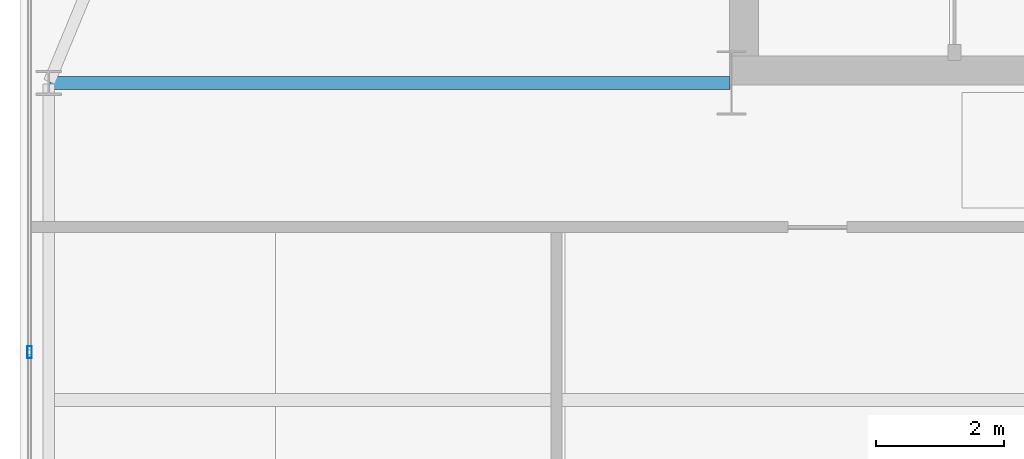
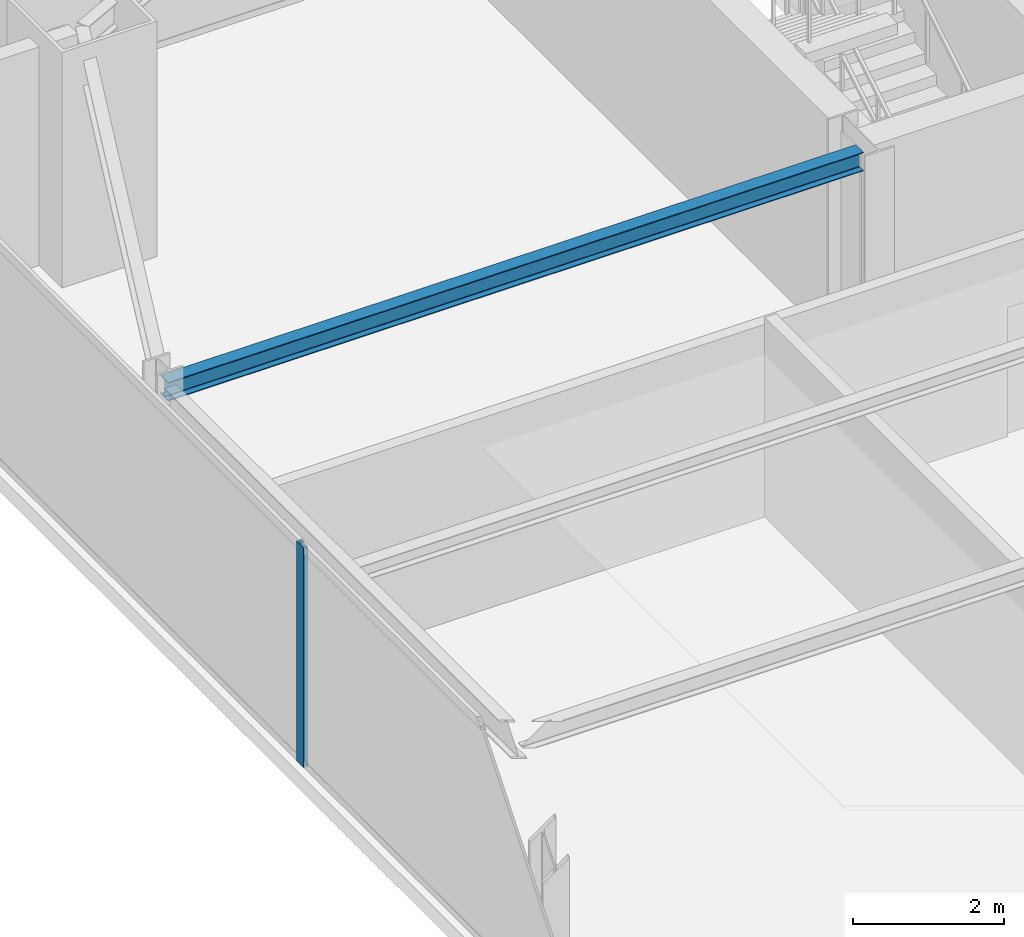
# One storey, part 10 of 30: 1 beam, 1 member, 1 element without a shape of its own.
"""IFC4 building model written with IfcOpenShell, lengths in metres."""

from ifc_helpers import new_model, si_unit, direction, frame, origin, origin_2d, place, context, subcontext, project, spatial, hollow_rectangle, i_section, extrude, source, transform, mapped, material, layer, layer_set, material_profile, profile_set, type_object, type_shapes, element, aggregate, save


model = new_model("IFC4")

# Units and contexts
model_context = context("Model", 3, precision=1e-05, world=origin(), true_north=direction((0.0, 1.0)))
body_context = subcontext(model_context, "Body", "Model", "MODEL_VIEW")
ifc_project = project(units=[si_unit("LENGTHUNIT", "METRE"), si_unit("AREAUNIT", "SQUARE_METRE"), si_unit("VOLUMEUNIT", "CUBIC_METRE"), si_unit("PLANEANGLEUNIT", "RADIAN"), si_unit("MASSUNIT", "GRAM", prefix="KILO")], contexts=[model_context])

# Site, building, storey
site_placement = place(None, origin())
site = spatial("IfcSite", under=ifc_project, at=site_placement, CompositionType="ELEMENT")
building_placement = place(site_placement, origin())
building = spatial("IfcBuilding", under=site, at=building_placement, Name="Varnel Quay Broadcast Tower", CompositionType="ELEMENT")
storey_placement = place(building_placement, frame((0.0, 0.0, 122.0)))
storey = spatial("IfcBuildingStorey", under=building, at=storey_placement, Name="L29", CompositionType="ELEMENT", Elevation=122.0)

# Beam
ifc_material_1 = material(Name="Structural Steel CSA G40.21 350W", Category="steel")
ifc_material_profile_1 = material_profile(ifc_material_1, i_section(OverallWidth=0.202880859375, OverallDepth=0.302978515625, WebThickness=0.007568359375, FlangeThickness=0.01318359375, FilletRadius=0.011962890625, at=origin_2d()), Name="W310X60")
ifc_profile_set_1 = profile_set([ifc_material_profile_1], Name="Structural Steel CSA G40.21 350W")
beam_type = type_object("IfcBeamType", Name="Beam_W310X60", PredefinedType="JOIST", material=ifc_profile_set_1)
shared_shape_1 = source(origin(), body_context, "Body", "SweptSolid", [
    extrude(i_section(OverallWidth=0.202880859375, OverallDepth=0.302978515625, WebThickness=0.007568359375, FlangeThickness=0.01318359375, FilletRadius=0.011962890625, at=origin_2d()), origin(), (0.0, 0.0, 1.0), 10.610107421875),
])
type_shapes(beam_type, [shared_shape_1])
beam_placement = place(storey_placement, frame((4.969970703125, 35.60009765625, 3.3984375), z_axis=(1.0, 0.0, 0.0), x_axis=(0.0, 1.0, 0.0)))
element("IfcBeam", 1, at=beam_placement, inside=storey, type_object=beam_type, Name="L29 West Core Tie Joist", PredefinedType="JOIST", context=body_context, shape_type="MappedRepresentation", body=[
    mapped(shared_shape_1, transform((0.0, 0.0, 0.0), x_axis=(1.0, 0.0, 0.0), y_axis=(0.0, 1.0, 0.0), z_axis=(0.0, 0.0, 1.0), scale=1.0)),
])

# Curtain wall, member
ifc_material_2 = material(Name="Anodised Bronze Aluminium 6063-T6", Category="aluminium")
ifc_layer = layer(ifc_material_2, 0.18994140625, Name="Anodised Bronze Aluminium 6063-T6")
ifc_layer_set = layer_set([ifc_layer], Name="Anodised Bronze Aluminium 6063-T6")
curtain_wall_type = type_object("IfcCurtainWallType", Name="CW_LowerTower", PredefinedType="NOTDEFINED", material=ifc_layer_set)
curtain_wall_placement = place(storey_placement, origin())
curtain_wall = element("IfcCurtainWall", 2, at=curtain_wall_placement, inside=storey, type_object=curtain_wall_type, Name="L29 West Unitised Curtain Wall", PredefinedType="NOTDEFINED")
ifc_material_profile_2 = material_profile(ifc_material_2, hollow_rectangle(XDim=0.070068359375, YDim=0.18994140625, WallThickness=0.00390625, at=origin_2d()), Name="ALU70X190X4")
ifc_profile_set_2 = profile_set([ifc_material_profile_2], Name="Anodised Bronze Aluminium 6063-T6")
member_type = type_object("IfcMemberType", Name="Mull_CWS-02", PredefinedType="MULLION", material=ifc_profile_set_2)
shared_shape_2 = source(origin(), body_context, "Body", "SweptSolid", [
    extrude(hollow_rectangle(XDim=0.070068359375, YDim=0.18994140625, WallThickness=0.00390625, at=origin_2d()), origin(), (0.0, 0.0, 1.0), 3.550048828125),
])
type_shapes(member_type, [shared_shape_2])
member_placement = place(storey_placement, frame((4.64990234375, 31.39990234375, 0.0), z_axis=(0.0, 0.0, 1.0), x_axis=(-1.0, 0.0, 0.0)))
member = element("IfcMember", 3, at=member_placement, type_object=member_type, Name="CWS-02 mullion 3", PredefinedType="MULLION", context=body_context, shape_type="MappedRepresentation", body=[
    mapped(shared_shape_2, transform((0.0, 0.0, 0.0), x_axis=(1.0, 0.0, 0.0), y_axis=(0.0, 1.0, 0.0), z_axis=(0.0, 0.0, 1.0), scale=1.0)),
])
aggregate(curtain_wall, [member])

save(model, "model.ifc")
